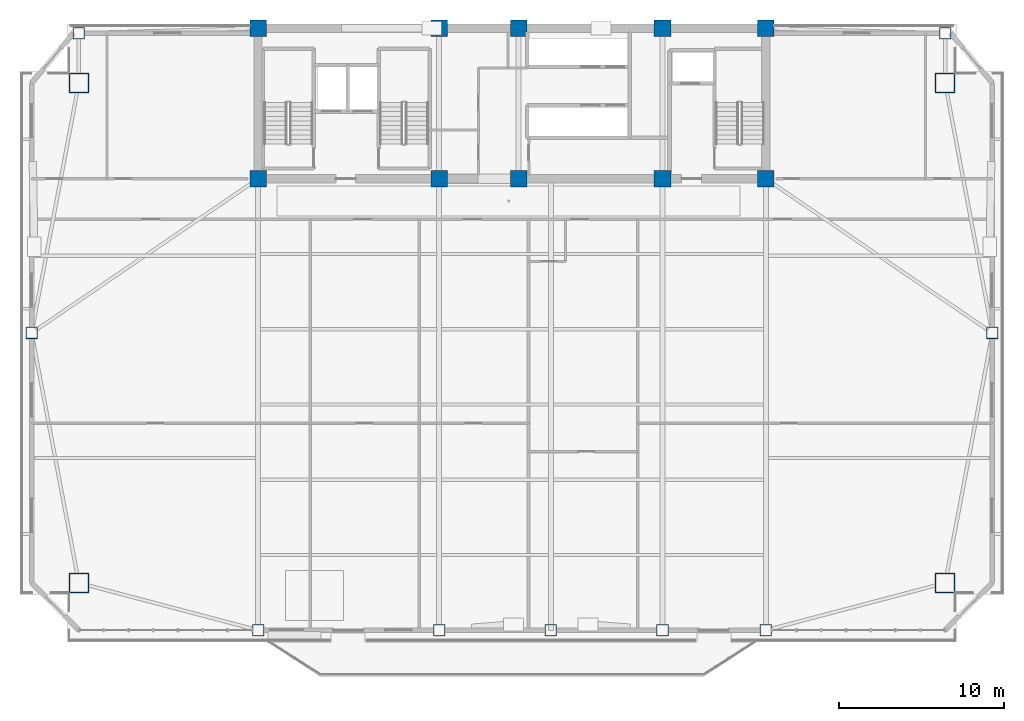
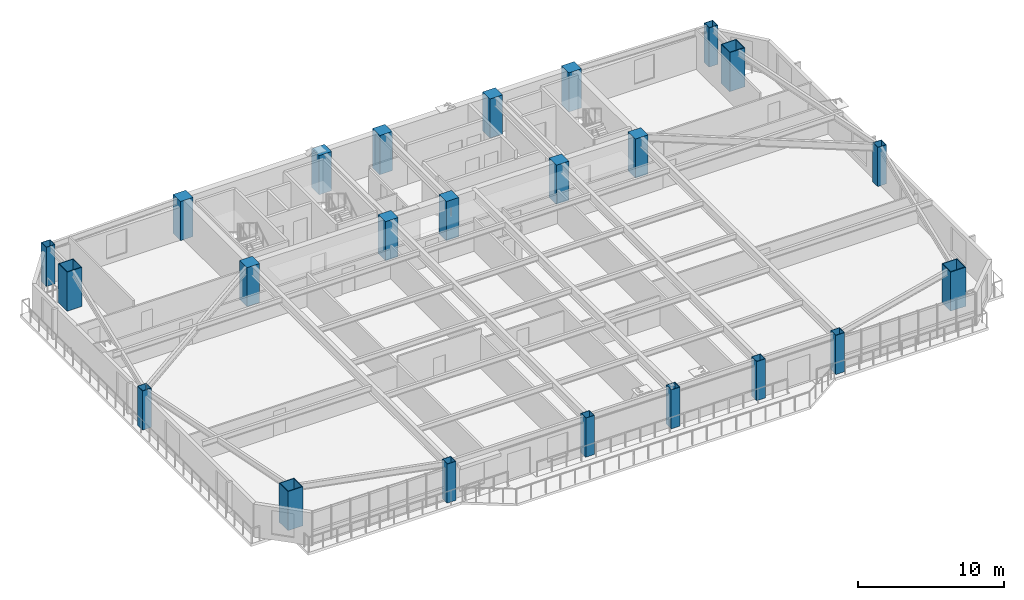
# One storey, part 1 of 15: 23 columns.
"""IFC4 building model written with IfcOpenShell, lengths in metres."""

from ifc_helpers import new_model, si_unit, direction, frame, origin, origin_2d, place, context, subcontext, project, spatial, rectangle, hollow_rectangle, extrude, source, transform, mapped, material, material_profile, profile_set, type_object, element, save


model = new_model("IFC4")

# Units and contexts
model_context = context("Model", 3, precision=1e-05, world=origin(), true_north=direction((0.0, 1.0)))
body_context = subcontext(model_context, "Body", "Model", "MODEL_VIEW")
ifc_project = project(units=[si_unit("LENGTHUNIT", "METRE"), si_unit("AREAUNIT", "SQUARE_METRE"), si_unit("VOLUMEUNIT", "CUBIC_METRE"), si_unit("PLANEANGLEUNIT", "RADIAN"), si_unit("MASSUNIT", "GRAM", prefix="KILO")], contexts=[model_context])

# Site, building, storey
site_placement = place(None, origin())
site = spatial("IfcSite", under=ifc_project, at=site_placement, CompositionType="ELEMENT")
building_placement = place(site_placement, origin())
building = spatial("IfcBuilding", under=site, at=building_placement, Name="Giltprow Tower", CompositionType="ELEMENT")
storey_placement = place(building_placement, frame((0.0, 0.0, 184.199951171875)))
storey = spatial("IfcBuildingStorey", under=building, at=storey_placement, Name="L46", CompositionType="ELEMENT", Elevation=184.199951171875)

# Columns
ifc_material_1 = material(Name="Concrete C50", Category="concrete")
ifc_material_profile_1 = material_profile(ifc_material_1, rectangle(XDim=1.0, YDim=1.0, at=origin_2d()), Name="RC 1000x1000")
ifc_profile_set_1 = profile_set([ifc_material_profile_1], Name="Concrete C50")
column_type_1 = type_object("IfcColumnType", Name="PIL-RC-1000-C50", PredefinedType="PILASTER", material=ifc_profile_set_1)
shared_shape_1 = source(origin(), body_context, "Body", "SweptSolid", [
    extrude(rectangle(XDim=1.0, YDim=1.0, at=origin_2d()), origin(), (0.0, 0.0, 1.0), 3.27001953125),
])
for number, where, z_axis, x_axis, name in (
    (1, (19.85009765625, 37.449951171875, 0.0), (0.0, 0.0, 1.0), (1.0, 0.0, 0.0), "L46 Core Boundary Pilaster 1-1"),
    (2, (19.85009765625, 46.550048828125, 0.0), (0.0, 0.0, 1.0), (1.0, 0.0, 0.0), "L46 Core Boundary Pilaster 1-2"),
    (3, (30.800048828125, 37.449951171875, 0.0), (0.0, 0.0, 1.0), (1.0, 0.0, 0.0), "L46 Core Boundary Pilaster 2-1"),
    (4, (30.800048828125, 46.550048828125, 0.0), (0.0, 0.0, 1.0), (1.0, 0.0, 0.0), "L46 Core Boundary Pilaster 2-2"),
    (5, (35.60009765625, 37.449951171875, 0.0), (0.0, 0.0, 1.0), (1.0, 0.0, 0.0), "L46 Core Boundary Pilaster 3-1"),
    (6, (35.60009765625, 46.550048828125, 0.0), (0.0, 0.0, 1.0), (1.0, 0.0, 0.0), "L46 Core Boundary Pilaster 3-2"),
    (7, (44.300048828125, 37.449951171875, 0.0), (0.0, 0.0, 1.0), (1.0, 0.0, 0.0), "L46 Core Boundary Pilaster 4-1"),
    (8, (44.300048828125, 46.550048828125, 0.0), (0.0, 0.0, 1.0), (1.0, 0.0, 0.0), "L46 Core Boundary Pilaster 4-2"),
    (9, (50.550048828125, 37.449951171875, 0.0), (0.0, 0.0, 1.0), (1.0, 0.0, 0.0), "L46 Core Boundary Pilaster 5-1"),
    (10, (50.550048828125, 46.550048828125, 0.0), (0.0, 0.0, 1.0), (1.0, 0.0, 0.0), "L46 Core Boundary Pilaster 5-2"),
):
    element("IfcColumn", number, at=place(storey_placement, frame(where, z_axis=z_axis, x_axis=x_axis)), inside=storey, type_object=column_type_1, Name=name, PredefinedType="PILASTER", context=body_context, shape_type="MappedRepresentation", body=[
        mapped(shared_shape_1, transform((0.0, 0.0, 0.0), x_axis=(1.0, 0.0, 0.0), y_axis=(0.0, 1.0, 0.0), z_axis=(0.0, 0.0, 1.0), scale=1.0)),
    ])
ifc_material_2 = material(Name="Structural steel Q420GJC", Category="steel")
ifc_material_profile_2 = material_profile(ifc_material_2, hollow_rectangle(XDim=1.199951171875, YDim=1.199951171875, WallThickness=0.054931640625, at=origin_2d()), Name="BOX 1200x1200x55")
ifc_profile_set_2 = profile_set([ifc_material_profile_2], Name="Structural steel Q420GJC")
column_type_2 = type_object("IfcColumnType", Name="COL-BOX-1200x1200x55", PredefinedType="COLUMN", material=ifc_profile_set_2)
shared_shape_2 = source(origin(), body_context, "Body", "SweptSolid", [
    extrude(hollow_rectangle(XDim=1.199951171875, YDim=1.199951171875, WallThickness=0.054931640625, at=origin_2d()), origin(), (0.0, 0.0, 1.0), 3.27001953125),
])
for number, where, z_axis, x_axis, name in (
    (11, (9.014892578125, 13.014892578125, 0.0), (0.0, 0.0, 1.0), (1.0, 0.0, 0.0), "L46 Mega-Column MC_SW"),
    (12, (61.385986328125, 13.014892578125, 0.0), (0.0, 0.0, 1.0), (1.0, 0.0, 0.0), "L46 Mega-Column MC_SE"),
    (13, (9.014892578125, 43.239013671875, 0.0), (0.0, 0.0, 1.0), (1.0, 0.0, 0.0), "L46 Mega-Column MC_NW"),
    (14, (61.385986328125, 43.239013671875, 0.0), (0.0, 0.0, 1.0), (1.0, 0.0, 0.0), "L46 Mega-Column MC_NE"),
):
    element("IfcColumn", number, at=place(storey_placement, frame(where, z_axis=z_axis, x_axis=x_axis)), inside=storey, type_object=column_type_2, Name=name, PredefinedType="COLUMN", context=body_context, shape_type="MappedRepresentation", body=[
        mapped(shared_shape_2, transform((0.0, 0.0, 0.0), x_axis=(1.0, 0.0, 0.0), y_axis=(0.0, 1.0, 0.0), z_axis=(0.0, 0.0, 1.0), scale=1.0)),
    ])
ifc_material_profile_3 = material_profile(ifc_material_2, hollow_rectangle(XDim=0.699951171875, YDim=0.699951171875, WallThickness=0.031982421875, at=origin_2d()), Name="BOX 700x700x32")
ifc_profile_set_3 = profile_set([ifc_material_profile_3], Name="Structural steel Q420GJC")
column_type_3 = type_object("IfcColumnType", Name="COL-BOX-700x700x32", PredefinedType="COLUMN", material=ifc_profile_set_3)
shared_shape_3 = source(origin(), body_context, "Body", "SweptSolid", [
    extrude(hollow_rectangle(XDim=0.699951171875, YDim=0.699951171875, WallThickness=0.031982421875, at=origin_2d()), origin(), (0.0, 0.0, 1.0), 3.27001953125),
])
for number, where, z_axis, x_axis, name in (
    (15, (19.85009765625, 10.154052734375, 0.0), (0.0, 0.0, 1.0), (1.0, 0.0, 0.0), "L46 Perimeter Column S1"),
    (16, (30.800048828125, 10.154052734375, 0.0), (0.0, 0.0, 1.0), (1.0, 0.0, 0.0), "L46 Perimeter Column S2"),
    (17, (37.550048828125, 10.154052734375, 0.0), (0.0, 0.0, 1.0), (1.0, 0.0, 0.0), "L46 Perimeter Column S_MID"),
    (18, (44.300048828125, 10.154052734375, 0.0), (0.0, 0.0, 1.0), (1.0, 0.0, 0.0), "L46 Perimeter Column S3"),
    (19, (50.550048828125, 10.154052734375, 0.0), (0.0, 0.0, 1.0), (1.0, 0.0, 0.0), "L46 Perimeter Column S4"),
    (20, (6.154052734375, 28.126953125, 0.0), (0.0, 0.0, 1.0), (1.0, 0.0, 0.0), "L46 Perimeter Column W_MID"),
    (21, (64.2470703125, 28.126953125, 0.0), (0.0, 0.0, 1.0), (1.0, 0.0, 0.0), "L46 Perimeter Column E_MID"),
    (22, (9.014892578125, 46.25, 0.0), (0.0, 0.0, 1.0), (1.0, 0.0, 0.0), "L46 Perimeter Column N_W"),
    (23, (61.385986328125, 46.25, 0.0), (0.0, 0.0, 1.0), (1.0, 0.0, 0.0), "L46 Perimeter Column N_E"),
):
    element("IfcColumn", number, at=place(storey_placement, frame(where, z_axis=z_axis, x_axis=x_axis)), inside=storey, type_object=column_type_3, Name=name, PredefinedType="COLUMN", context=body_context, shape_type="MappedRepresentation", body=[
        mapped(shared_shape_3, transform((0.0, 0.0, 0.0), x_axis=(1.0, 0.0, 0.0), y_axis=(0.0, 1.0, 0.0), z_axis=(0.0, 0.0, 1.0), scale=1.0)),
    ])

save(model, "model.ifc")
